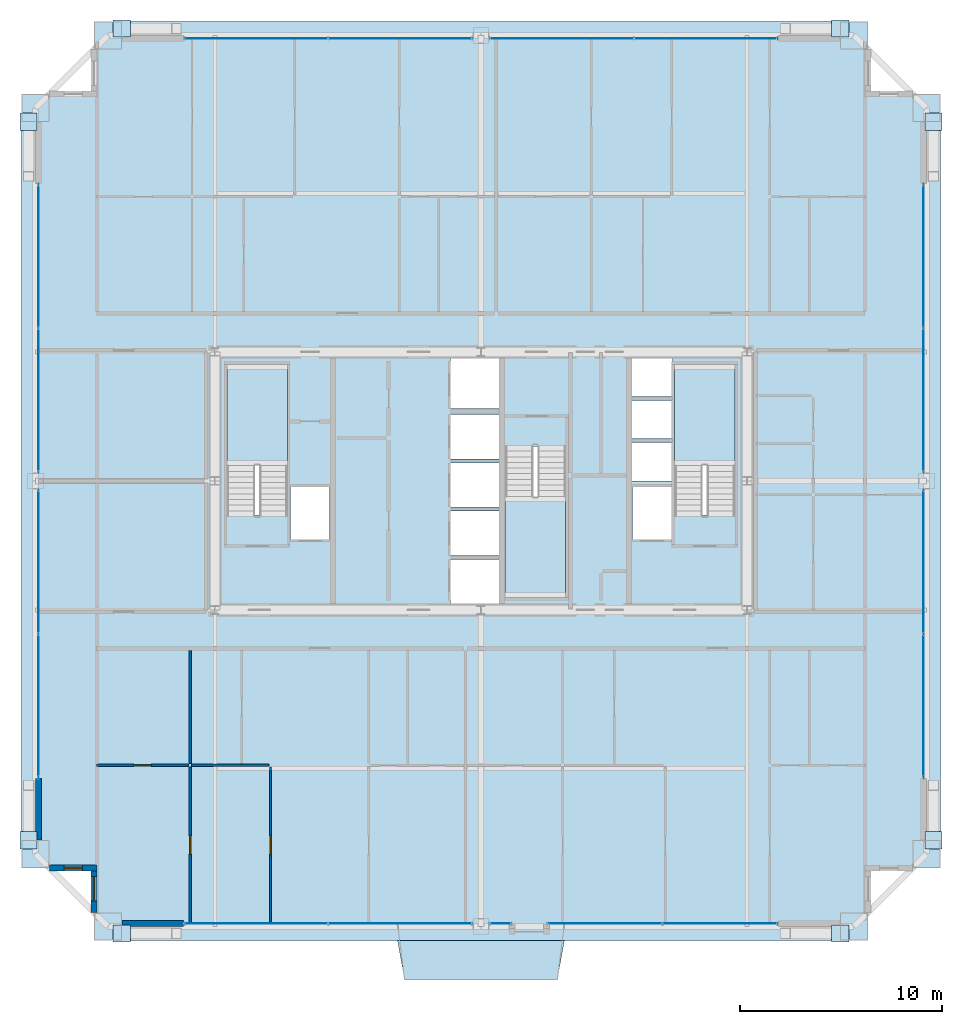
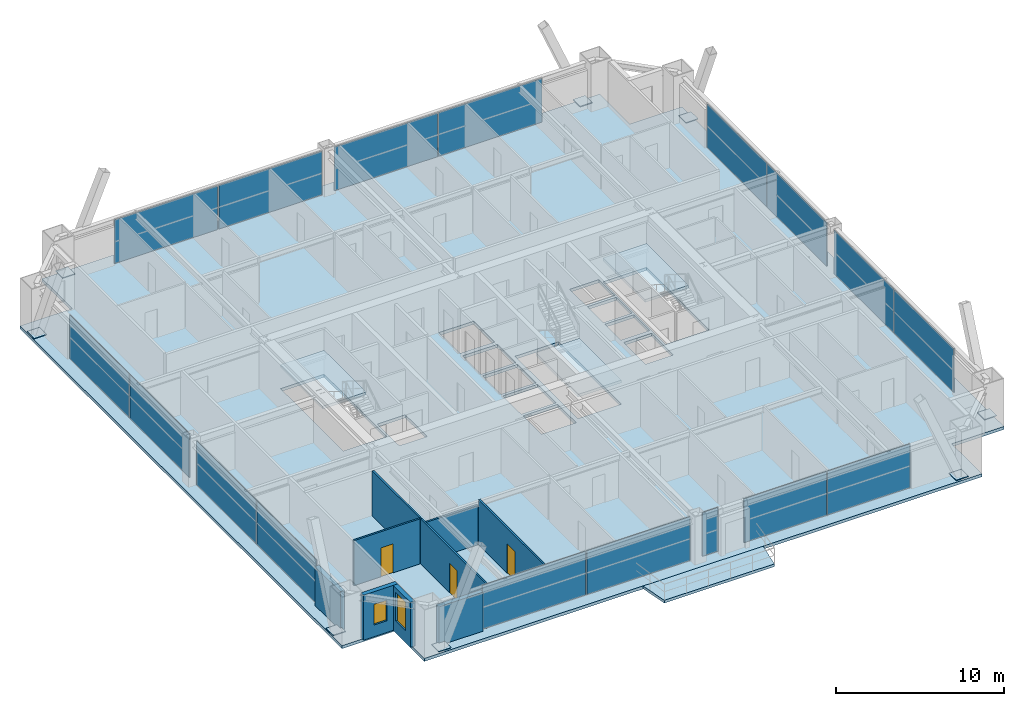
# One storey, part 39 of 45: 25 plates, 9 walls, 5 slabs, 3 doors, 2 windows, 5 openings, 12 elements without a shape of their own.
"""IFC4 building model written with IfcOpenShell, lengths in metres."""

import ifcopenshell
import ifcopenshell.guid

model = None  # the IFC model being written
_history = None  # IfcOwnerHistory: only IFC2X3 demands one
_inside = {}  # id of a spatial element -> (the spatial element, [elements in it])
_under = {}  # id of a project, library or spatial element -> (it, [spatial elements below it])
_declared = {}  # id of a project -> (the project, [libraries it declares])
_typed = {}  # id of a type object -> (the type object, [elements of that type])
_made_of = {}  # id of a material, layer set ... -> (it, [elements and type objects made of it])


def new_model(schema):
    """Start an empty IFC model of exactly this schema.

    Asked for "IFC4X3", IfcOpenShell would pick the latest addendum, in which some entities
    have other attributes; the version numbers below select the first issue.
    IFC2X3 requires an IfcOwnerHistory on every rooted entity: one is made here for all.
    """
    global model, _history
    if schema == "IFC4X3":
        model = ifcopenshell.file(schema_version=(4, 3, 0, 0))
    else:
        model = ifcopenshell.file(schema=schema)
    _inside.clear()
    _under.clear()
    _declared.clear()
    _typed.clear()
    _made_of.clear()
    _history = None
    if model.schema == "IFC2X3":
        org = make("IfcOrganization", Name="unknown")
        user = make(
            "IfcPersonAndOrganization",
            ThePerson=make("IfcPerson", FamilyName="unknown"),
            TheOrganization=org,
        )
        app = make(
            "IfcApplication",
            ApplicationDeveloper=org,
            Version="unknown",
            ApplicationFullName="unknown",
            ApplicationIdentifier="unknown",
        )
        _history = make(
            "IfcOwnerHistory",
            OwningUser=user,
            OwningApplication=app,
            ChangeAction="ADDED",
            CreationDate=0,
        )
    return model


def make(cls, **values):
    """One entity of the class cls with the attributes given. An attribute that is None is left unset."""
    return model.create_entity(
        cls, **{name: value for name, value in values.items() if value is not None}
    )


def rooted(cls, **values):
    """An entity with a GlobalId (a new one), such as an element, a storey or a relation."""
    return make(cls, GlobalId=ifcopenshell.guid.new(), OwnerHistory=_history, **values)


def si_unit(unit_type, name, prefix=None):
    """IfcSIUnit, for example si_unit("LENGTHUNIT", "METRE", prefix="MILLI")."""
    return make("IfcSIUnit", UnitType=unit_type, Prefix=prefix, Name=name)


def assignment(units):
    """IfcUnitAssignment: the units of a project."""
    return None if units is None else make("IfcUnitAssignment", Units=units)


def point(xyz):
    """IfcCartesianPoint."""
    return None if xyz is None else make("IfcCartesianPoint", Coordinates=xyz)


def direction(xyz):
    """IfcDirection."""
    return None if xyz is None else make("IfcDirection", DirectionRatios=xyz)


def frame(location, z_axis=None, x_axis=None):
    """IfcAxis2Placement3D, a coordinate frame: its origin and axes. An axis left out is left unset."""
    return make(
        "IfcAxis2Placement3D",
        Location=point(location),
        Axis=direction(z_axis),
        RefDirection=direction(x_axis),
    )


def frame_2d(location, x_axis=None):
    """IfcAxis2Placement2D, a coordinate frame in the plane: its origin and x axis."""
    return make(
        "IfcAxis2Placement2D", Location=point(location), RefDirection=direction(x_axis)
    )


def origin():
    """The frame at (0, 0, 0) with its axes left unset."""
    return frame((0.0, 0.0, 0.0))


def origin_2d():
    """The frame at (0, 0) in the plane with its x axis left unset."""
    return frame_2d((0.0, 0.0))


def place(relative_to, where):
    """IfcLocalPlacement: puts the frame where relative to a parent placement (None: the world)."""
    return make(
        "IfcLocalPlacement", PlacementRelTo=relative_to, RelativePlacement=where
    )


def context(
    kind, dimensions, precision=None, world=None, true_north=None, identifier=None
):
    """IfcGeometricRepresentationContext, for example the 3D "Model" context."""
    return make(
        "IfcGeometricRepresentationContext",
        ContextIdentifier=identifier,
        ContextType=kind,
        CoordinateSpaceDimension=dimensions,
        Precision=precision,
        WorldCoordinateSystem=world,
        TrueNorth=true_north,
    )


def subcontext(parent, identifier, kind, view, scale=None):
    """IfcGeometricRepresentationSubContext, for example "Body" below "Model"."""
    return make(
        "IfcGeometricRepresentationSubContext",
        ContextIdentifier=identifier,
        ContextType=kind,
        ParentContext=parent,
        TargetScale=scale,
        TargetView=view,
    )


def project(units=None, contexts=None):
    """IfcProject with its units and contexts."""
    return rooted(
        "IfcProject",
        Name="project",
        RepresentationContexts=contexts,
        UnitsInContext=assignment(units),
    )


def spatial(cls, under=None, at=None, **own):
    """A site, building, storey or space (cls), placed at a placement, below another one or the project."""
    s = rooted(cls, ObjectPlacement=at, **own)
    if under is not None:
        _under.setdefault(under.id(), (under, []))[1].append(s)
    return s


def polyline(points):
    """IfcPolyline through the points."""
    return make("IfcPolyline", Points=[point(p) for p in points])


def profile(cls, at=None, kind="AREA", **sizes):
    """A parametric profile (cls). Its sizes go by their IFC names, for example OverallWidth=200.0."""
    return make(cls, ProfileType=kind, Position=at, **sizes)


def rectangle(**sizes):
    """IfcRectangleProfileDef."""
    return profile("IfcRectangleProfileDef", **sizes)


def outline(outer, holes=None, kind="AREA"):
    """IfcArbitraryClosedProfileDef: a profile drawn as a closed curve; with holes, ...WithVoids."""
    if holes is None:
        return make("IfcArbitraryClosedProfileDef", ProfileType=kind, OuterCurve=outer)
    return make(
        "IfcArbitraryProfileDefWithVoids",
        ProfileType=kind,
        OuterCurve=outer,
        InnerCurves=holes,
    )


def extrude(swept, where, along, depth):
    """IfcExtrudedAreaSolid: the profile swept, set in the frame where, extruded along a direction by depth."""
    return make(
        "IfcExtrudedAreaSolid",
        SweptArea=swept,
        Position=where,
        ExtrudedDirection=direction(along),
        Depth=depth,
    )


def shape(context_of_items, identifier, shape_type, items):
    """IfcShapeRepresentation: the items that make up one representation, for example the "Body"."""
    return make(
        "IfcShapeRepresentation",
        ContextOfItems=context_of_items,
        RepresentationIdentifier=identifier,
        RepresentationType=shape_type,
        Items=items,
    )


def source(mapping_origin, context_of_items, identifier, shape_type, items):
    """IfcRepresentationMap: a shape defined once, which mapped items show again and again."""
    return make(
        "IfcRepresentationMap",
        MappingOrigin=mapping_origin,
        MappedRepresentation=shape(context_of_items, identifier, shape_type, items),
    )


def transform(
    local_origin,
    x_axis=None,
    y_axis=None,
    z_axis=None,
    scale=None,
    scale2=None,
    scale3=None,
    uniform=True,
):
    """IfcCartesianTransformationOperator3D, or its non-uniform kind. x_axis, y_axis, z_axis: its Axis1, 2, 3."""
    if uniform:
        return make(
            "IfcCartesianTransformationOperator3D",
            Axis1=direction(x_axis),
            Axis2=direction(y_axis),
            LocalOrigin=point(local_origin),
            Scale=scale,
            Axis3=direction(z_axis),
        )
    return make(
        "IfcCartesianTransformationOperator3DnonUniform",
        Axis1=direction(x_axis),
        Axis2=direction(y_axis),
        LocalOrigin=point(local_origin),
        Scale=scale,
        Axis3=direction(z_axis),
        Scale2=scale2,
        Scale3=scale3,
    )


def mapped(mapping_source, mapping_target):
    """IfcMappedItem: shows the shape of a source again, moved by a transform."""
    return make(
        "IfcMappedItem", MappingSource=mapping_source, MappingTarget=mapping_target
    )


def material(Name=None, Category=None):
    """IfcMaterial."""
    return make("IfcMaterial", Name=Name, Category=Category)


def layer(
    of_material, thickness, ventilated=None, Name=None, Category=None, Priority=None
):
    """IfcMaterialLayer: one layer of a wall or slab, of a material (None: an air gap)."""
    return make(
        "IfcMaterialLayer",
        Material=of_material,
        LayerThickness=thickness,
        IsVentilated=ventilated,
        Name=Name,
        Category=Category,
        Priority=Priority,
    )


def layer_set(layers, Name=None):
    """IfcMaterialLayerSet."""
    return make("IfcMaterialLayerSet", MaterialLayers=layers, LayerSetName=Name)


def made_of(thing, what):
    """Note that an element or type object is made of a material, layer set ...; save() writes the relation."""
    if what is not None:
        _made_of.setdefault(what.id(), (what, []))[1].append(thing)
    return thing


def type_object(cls, material=None, **own):
    """A type object (cls), such as IfcWallType, which elements share."""
    return made_of(rooted(cls, **own), material)


def element(
    cls,
    number,
    at=None,
    inside=None,
    cuts=None,
    type_object=None,
    material=None,
    context=None,
    identifier="Body",
    shape_type=None,
    held_by="IfcProductDefinitionShape",
    body=None,
    shapes=None,
    **own,
):
    """One element of the class cls, such as IfcWall. Its Tag is "e" and its number.

    at: its placement. inside: the storey or other place that contains it. cuts: it is an
    opening in that element (IfcRelVoidsElement). A single representation is given by context,
    identifier, shape_type and body (its items); several are given by shapes. held_by: the class
    of the entity that holds the representations. save() writes the other relations.
    """
    e = rooted(cls, Tag="e%d" % number, ObjectPlacement=at, **own)
    if body is not None:
        shapes = [shape(context, identifier, shape_type, body)]
    if shapes is not None:
        e.Representation = make(held_by, Representations=shapes)
    if inside is not None:
        _inside.setdefault(inside.id(), (inside, []))[1].append(e)
    if cuts is not None:
        rooted(
            "IfcRelVoidsElement", RelatingBuildingElement=cuts, RelatedOpeningElement=e
        )
    if type_object is not None:
        _typed.setdefault(type_object.id(), (type_object, []))[1].append(e)
    return made_of(e, material)


def fill(opening, filler):
    """IfcRelFillsElement: the door or window that sits in an opening."""
    return rooted(
        "IfcRelFillsElement",
        RelatingOpeningElement=opening,
        RelatedBuildingElement=filler,
    )


def aggregate(whole, parts):
    """IfcRelAggregates: a whole, such as a stair, and the parts it consists of."""
    return rooted("IfcRelAggregates", RelatingObject=whole, RelatedObjects=parts)


def save(model, path):
    """Write the relations noted so far, then the file.

    IfcRelAggregates (storeys below a building ...), IfcRelContainedInSpatialStructure (elements
    in a storey), IfcRelDefinesByType, IfcRelAssociatesMaterial and IfcRelDeclares: one each for
    every whole, place, type object, material and project.
    """
    for whole, parts in _under.values():
        aggregate(whole, parts)
    for where, things in _inside.values():
        rooted(
            "IfcRelContainedInSpatialStructure",
            RelatedElements=things,
            RelatingStructure=where,
        )
    for kind, things in _typed.values():
        rooted("IfcRelDefinesByType", RelatedObjects=things, RelatingType=kind)
    for what, things in _made_of.values():
        rooted("IfcRelAssociatesMaterial", RelatedObjects=things, RelatingMaterial=what)
    for by, libraries in _declared.values():
        rooted("IfcRelDeclares", RelatingContext=by, RelatedDefinitions=libraries)
    model.write(path)


model = new_model("IFC4")

# Units and contexts
model_context = context("Model", 3, precision=1e-05, world=origin(), true_north=direction((0.0, 1.0)))
body_context = subcontext(model_context, "Body", "Model", "MODEL_VIEW")
ifc_project = project(units=[si_unit("LENGTHUNIT", "METRE"), si_unit("AREAUNIT", "SQUARE_METRE"), si_unit("VOLUMEUNIT", "CUBIC_METRE"), si_unit("PLANEANGLEUNIT", "RADIAN"), si_unit("MASSUNIT", "GRAM", prefix="KILO"), si_unit("THERMODYNAMICTEMPERATUREUNIT", "KELVIN"), si_unit("POWERUNIT", "WATT")], contexts=[model_context])

# Site, building, storey
site_placement = place(None, origin())
site = spatial("IfcSite", under=ifc_project, at=site_placement, CompositionType="ELEMENT")
building_placement = place(site_placement, origin())
building = spatial("IfcBuilding", under=site, at=building_placement, Name="Yuzanri Waterfront Tower", CompositionType="ELEMENT")
storey_placement = place(building_placement, frame((0.0, 0.0, 198.5)))
storey = spatial("IfcBuildingStorey", under=building, at=storey_placement, Name="L52", CompositionType="ELEMENT", Elevation=198.5)

# Slab
ifc_material_1 = material(Name="Concrete C40", Category="concrete")
ifc_layer_1 = layer(ifc_material_1, 0.199951171875)
ifc_layer_set_1 = layer_set([ifc_layer_1], Name="Concrete C40")
slab_type_1 = type_object("IfcSlabType", Name="Concrete C40 Cantilevered Engawa Wave Terrace Slab 200", PredefinedType="FLOOR", material=ifc_layer_set_1)
slab_1_placement = place(storey_placement, frame((0.0, 0.0, -0.199951171875)))
element("IfcSlab", 1, at=slab_1_placement, inside=storey, type_object=slab_type_1, Name="L52 S Cantilevered Engawa Terrace Slab", PredefinedType="FLOOR", context=body_context, shape_type="SweptSolid", body=[
    extrude(outline(polyline([(32.860595703125, 3.0), (41.139404296875, 3.0), (40.78955078125, 1.071044921875), (33.21044921875, 1.071044921875), (32.860595703125, 3.0)])), origin(), (0.0, 0.0, 1.0), 0.199951171875),
])

# Stair, slab
ifc_material_2 = material(Name="Concrete C40", Category="concrete")
stair_type = type_object("IfcStairType", Name="Concrete C40 Core Dogleg Exit Stair", PredefinedType="HALF_TURN_STAIR", material=ifc_material_2)
stair_1_placement = place(storey_placement, origin())
stair_1 = element("IfcStair", 2, at=stair_1_placement, inside=storey, type_object=stair_type, Name="L52 Smoke-Proof Core Stair ST-01", PredefinedType="HALF_TURN_STAIR")
ifc_material_3 = material(Name="Concrete C40", Category="concrete")
ifc_layer_2 = layer(ifc_material_3, 0.179931640625)
ifc_layer_set_2 = layer_set([ifc_layer_2], Name="Concrete C40")
slab_type_2 = type_object("IfcSlabType", Name="Concrete C40 Stair Half-Landing Slab 180", PredefinedType="LANDING", material=ifc_layer_set_2)
slab_2_placement = place(storey_placement, frame((0.0, 0.0, 1.550048828125)))
slab_2 = element("IfcSlab", 3, at=slab_2_placement, type_object=slab_type_2, Name="ST-01 landing 1", PredefinedType="LANDING", context=body_context, shape_type="SweptSolid", body=[
    extrude(outline(polyline([(27.39990234375, 26.56005859375), (27.39990234375, 31.580078125), (24.39990234375, 31.580078125), (24.39990234375, 26.56005859375), (27.39990234375, 26.56005859375)])), origin(), (0.0, 0.0, 1.0), 0.199951171875),
])
aggregate(stair_1, [slab_2])

stair_2_placement = place(storey_placement, origin())
stair_2 = element("IfcStair", 4, at=stair_2_placement, inside=storey, type_object=stair_type, Name="L52 Smoke-Proof Core Stair ST-02", PredefinedType="HALF_TURN_STAIR")
slab_3_placement = place(storey_placement, frame((0.0, 0.0, 1.550048828125)))
slab_3 = element("IfcSlab", 5, at=slab_3_placement, type_object=slab_type_2, Name="ST-02 landing 1", PredefinedType="LANDING", context=body_context, shape_type="SweptSolid", body=[
    extrude(outline(polyline([(49.60009765625, 26.56005859375), (49.60009765625, 31.580078125), (46.60009765625, 31.580078125), (46.60009765625, 26.56005859375), (49.60009765625, 26.56005859375)])), origin(), (0.0, 0.0, 1.0), 0.199951171875),
])
aggregate(stair_2, [slab_3])

stair_3_placement = place(storey_placement, origin())
stair_3 = element("IfcStair", 6, at=stair_3_placement, inside=storey, type_object=stair_type, Name="L52 Smoke-Proof Core Stair ST-03", PredefinedType="HALF_TURN_STAIR")
slab_4_placement = place(storey_placement, frame((0.0, 0.0, 1.550048828125)))
slab_4 = element("IfcSlab", 7, at=slab_4_placement, type_object=slab_type_2, Name="ST-03 landing 1", PredefinedType="LANDING", context=body_context, shape_type="SweptSolid", body=[
    extrude(outline(polyline([(38.199951171875, 25.0400390625), (38.199951171875, 20.02001953125), (41.199951171875, 20.02001953125), (41.199951171875, 25.0400390625), (38.199951171875, 25.0400390625)])), origin(), (0.0, 0.0, 1.0), 0.199951171875),
])
aggregate(stair_3, [slab_4])

# Slab
ifc_material_4 = material(Name="Concrete C40", Category="concrete")
ifc_layer_3 = layer(ifc_material_4, 0.219970703125)
ifc_layer_set_3 = layer_set([ifc_layer_3], Name="Concrete C40")
slab_type_3 = type_object("IfcSlabType", Name="Concrete C40 Tower Typical Structural Floor Slab 220", PredefinedType="FLOOR", material=ifc_layer_set_3)
slab_5_placement = place(storey_placement, frame((0.0, 0.0, -0.219970703125)))
element("IfcSlab", 8, at=slab_5_placement, inside=storey, type_object=slab_type_3, Name="L52 Main Structural Floor Slab", PredefinedType="FLOOR", context=body_context, shape_type="SweptSolid", body=[
    extrude(outline(polyline([(17.800048828125, 3.0), (56.199951171875, 3.0), (56.199951171875, 6.60009765625), (59.800048828125, 6.60009765625), (59.800048828125, 45.0), (56.199951171875, 45.0), (56.199951171875, 48.60009765625), (17.800048828125, 48.60009765625), (17.800048828125, 45.0), (14.199951171875, 45.0), (14.199951171875, 6.60009765625), (17.800048828125, 6.60009765625), (17.800048828125, 3.0)]), holes=[polyline([(27.39990234375, 24.10009765625), (27.39990234375, 31.580078125), (24.39990234375, 31.580078125), (24.39990234375, 24.10009765625), (27.39990234375, 24.10009765625)]), polyline([(49.60009765625, 24.10009765625), (49.60009765625, 31.580078125), (46.60009765625, 31.580078125), (46.60009765625, 24.10009765625), (49.60009765625, 24.10009765625)]), polyline([(38.199951171875, 27.5), (38.199951171875, 20.02001953125), (41.199951171875, 20.02001953125), (41.199951171875, 27.5), (38.199951171875, 27.5)]), polyline([(27.56005859375, 22.89990234375), (29.47998046875, 22.89990234375), (29.47998046875, 25.5), (27.56005859375, 25.5), (27.56005859375, 22.89990234375)]), polyline([(44.52001953125, 22.89990234375), (46.43994140625, 22.89990234375), (46.43994140625, 25.5), (44.52001953125, 25.5), (44.52001953125, 22.89990234375)]), polyline([(35.5, 19.699951171875), (37.89990234375, 19.699951171875), (37.89990234375, 21.89990234375), (35.5, 21.89990234375), (35.5, 19.699951171875)]), polyline([(35.5, 22.10009765625), (37.89990234375, 22.10009765625), (37.89990234375, 24.300048828125), (35.5, 24.300048828125), (35.5, 22.10009765625)]), polyline([(35.5, 24.5), (37.89990234375, 24.5), (37.89990234375, 26.699951171875), (35.5, 26.699951171875), (35.5, 24.5)]), polyline([(35.5, 26.89990234375), (37.89990234375, 26.89990234375), (37.89990234375, 29.10009765625), (35.5, 29.10009765625), (35.5, 26.89990234375)]), polyline([(35.5, 29.39990234375), (37.89990234375, 29.39990234375), (37.89990234375, 31.89990234375), (35.5, 31.89990234375), (35.5, 29.39990234375)]), polyline([(44.5, 25.800048828125), (46.5, 25.800048828125), (46.5, 27.699951171875), (44.5, 27.699951171875), (44.5, 25.800048828125)]), polyline([(44.5, 27.89990234375), (46.5, 27.89990234375), (46.5, 29.800048828125), (44.5, 29.800048828125), (44.5, 27.89990234375)]), polyline([(44.5, 30.0), (46.5, 30.0), (46.5, 31.89990234375), (44.5, 31.89990234375), (44.5, 30.0)])]), origin(), (0.0, 0.0, 1.0), 0.219970703125),
])

# Plates
ifc_material_5 = material(Name="Steel Q420GJC", Category="steel")
ifc_layer_4 = layer(ifc_material_5, 0.0400390625)
ifc_layer_set_4 = layer_set([ifc_layer_4], Name="Steel Q420GJC")
plate_type_1 = type_object("IfcPlateType", Name="Steel Q420GJC Mega-Brace Gusset and End-Cap Plate 40", PredefinedType="SHEET", material=ifc_layer_set_4)
shared_shape_1 = source(origin(), body_context, "Body", "SweptSolid", [
    extrude(rectangle(XDim=0.85009765625, YDim=0.85009765625, at=origin_2d()), origin(), (0.0, 0.0, 1.0), 0.0400390625),
])
for number, where, z_axis, x_axis, name in (
    (9, (19.179931640625, 3.360107421875, 0.159912109375), (0.0, 0.0, 1.0), (1.0, 0.0, 0.0), "L52 Mega-Brace Foot Cap Plate S-L"),
    (10, (54.820068359375, 3.360107421875, 0.159912109375), (0.0, 0.0, 1.0), (1.0, 0.0, 0.0), "L52 Mega-Brace Foot Cap Plate S-R"),
    (11, (19.179931640625, 48.239990234375, 0.159912109375), (0.0, 0.0, 1.0), (1.0, 0.0, 0.0), "L52 Mega-Brace Foot Cap Plate N-L"),
    (12, (54.820068359375, 48.239990234375, 0.159912109375), (0.0, 0.0, 1.0), (1.0, 0.0, 0.0), "L52 Mega-Brace Foot Cap Plate N-R"),
    (13, (14.56005859375, 7.97998046875, 0.159912109375), (0.0, 0.0, 1.0), (1.0, 0.0, 0.0), "L52 Mega-Brace Foot Cap Plate W-L"),
    (14, (14.56005859375, 43.6201171875, 0.159912109375), (0.0, 0.0, 1.0), (1.0, 0.0, 0.0), "L52 Mega-Brace Foot Cap Plate W-R"),
    (15, (59.43994140625, 7.97998046875, 0.159912109375), (0.0, 0.0, 1.0), (1.0, 0.0, 0.0), "L52 Mega-Brace Foot Cap Plate E-L"),
    (16, (59.43994140625, 43.6201171875, 0.159912109375), (0.0, 0.0, 1.0), (1.0, 0.0, 0.0), "L52 Mega-Brace Foot Cap Plate E-R"),
):
    element("IfcPlate", number, at=place(storey_placement, frame(where, z_axis=z_axis, x_axis=x_axis)), inside=storey, type_object=plate_type_1, Name=name, PredefinedType="SHEET", context=body_context, shape_type="MappedRepresentation", body=[
        mapped(shared_shape_1, transform((0.0, 0.0, 0.0), scale=1.0)),
    ])

# Curtain wall, plates
ifc_material_6 = material(Name="Anodized Architectural Bronze", Category="metal")
ifc_layer_5 = layer(ifc_material_6, 0.159912109375)
ifc_layer_set_5 = layer_set([ifc_layer_5], Name="Anodized Architectural Bronze")
curtain_wall_type = type_object("IfcCurtainWallType", Name="Anodized Bronze Mid-Rise Residential Acoustic Unitized Curtain Wall 7200", PredefinedType="NOTDEFINED", material=ifc_layer_set_5)
curtain_wall_1_placement = place(storey_placement, origin())
curtain_wall_1 = element("IfcCurtainWall", 17, at=curtain_wall_1_placement, inside=storey, type_object=curtain_wall_type, Name="L52 Curtain Wall CW-L52-SL", PredefinedType="NOTDEFINED")
ifc_material_7 = material(Name="Triple Low-E Laminated Insulated Glass", Category="glass")
ifc_layer_6 = layer(ifc_material_7, 0.0439453125)
ifc_layer_set_6 = layer_set([ifc_layer_6], Name="Triple Low-E Laminated Insulated Glass")
plate_type_2 = type_object("IfcPlateType", Name="Triple Glazed Acoustic Vision Glass Panel 44", PredefinedType="CURTAIN_PANEL", material=ifc_layer_set_6)
shared_shape_2 = source(origin(), body_context, "Body", "SweptSolid", [
    extrude(rectangle(XDim=7.094970703125, YDim=0.0439453125, at=origin_2d()), origin(), (0.0, 0.0, 1.0), 3.179931640625),
])
plate_1_placement = place(storey_placement, frame((25.83740234375, 3.85009765625, 0.0498046875), z_axis=(0.0, 0.0, 1.0), x_axis=(1.0, 0.0, 0.0)))
plate_1 = element("IfcPlate", 18, at=plate_1_placement, type_object=plate_type_2, Name="CW-L52-SL Vision Glass Panel 01", PredefinedType="CURTAIN_PANEL", context=body_context, shape_type="MappedRepresentation", body=[
    mapped(shared_shape_2, transform((0.0, 0.0, 0.0), scale=1.0)),
])
plate_2_placement = place(storey_placement, frame((33.012451171875, 3.85009765625, 0.0498046875), z_axis=(0.0, 0.0, 1.0), x_axis=(1.0, 0.0, 0.0)))
plate_2 = element("IfcPlate", 19, at=plate_2_placement, type_object=plate_type_2, Name="CW-L52-SL Vision Glass Panel 02", PredefinedType="CURTAIN_PANEL", context=body_context, shape_type="MappedRepresentation", body=[
    mapped(shared_shape_2, transform((0.0, 0.0, 0.0), scale=1.0)),
])
aggregate(curtain_wall_1, [plate_1, plate_2])

curtain_wall_2_placement = place(storey_placement, origin())
curtain_wall_2 = element("IfcCurtainWall", 20, at=curtain_wall_2_placement, inside=storey, type_object=curtain_wall_type, Name="L52 Curtain Wall CW-L52-NL", PredefinedType="NOTDEFINED")
plate_3_placement = place(storey_placement, frame((25.83740234375, 47.75, 0.0498046875), z_axis=(0.0, 0.0, 1.0), x_axis=(1.0, 0.0, 0.0)))
plate_3 = element("IfcPlate", 21, at=plate_3_placement, type_object=plate_type_2, Name="CW-L52-NL Vision Glass Panel 01", PredefinedType="CURTAIN_PANEL", context=body_context, shape_type="MappedRepresentation", body=[
    mapped(shared_shape_2, transform((0.0, 0.0, 0.0), scale=1.0)),
])
plate_4_placement = place(storey_placement, frame((33.012451171875, 47.75, 0.0498046875), z_axis=(0.0, 0.0, 1.0), x_axis=(1.0, 0.0, 0.0)))
plate_4 = element("IfcPlate", 22, at=plate_4_placement, type_object=plate_type_2, Name="CW-L52-NL Vision Glass Panel 02", PredefinedType="CURTAIN_PANEL", context=body_context, shape_type="MappedRepresentation", body=[
    mapped(shared_shape_2, transform((0.0, 0.0, 0.0), scale=1.0)),
])
aggregate(curtain_wall_2, [plate_3, plate_4])

curtain_wall_3_placement = place(storey_placement, origin())
curtain_wall_3 = element("IfcCurtainWall", 23, at=curtain_wall_3_placement, inside=storey, type_object=curtain_wall_type, Name="L52 Curtain Wall CW-L52-NR", PredefinedType="NOTDEFINED")
plate_5_placement = place(storey_placement, frame((40.987548828125, 47.75, 0.0498046875), z_axis=(0.0, 0.0, 1.0), x_axis=(1.0, 0.0, 0.0)))
plate_5 = element("IfcPlate", 24, at=plate_5_placement, type_object=plate_type_2, Name="CW-L52-NR Vision Glass Panel 01", PredefinedType="CURTAIN_PANEL", context=body_context, shape_type="MappedRepresentation", body=[
    mapped(shared_shape_2, transform((0.0, 0.0, 0.0), scale=1.0)),
])
plate_6_placement = place(storey_placement, frame((48.16259765625, 47.75, 0.0498046875), z_axis=(0.0, 0.0, 1.0), x_axis=(1.0, 0.0, 0.0)))
plate_6 = element("IfcPlate", 25, at=plate_6_placement, type_object=plate_type_2, Name="CW-L52-NR Vision Glass Panel 02", PredefinedType="CURTAIN_PANEL", context=body_context, shape_type="MappedRepresentation", body=[
    mapped(shared_shape_2, transform((0.0, 0.0, 0.0), scale=1.0)),
])
aggregate(curtain_wall_3, [plate_5, plate_6])

curtain_wall_4_placement = place(storey_placement, origin())
curtain_wall_4 = element("IfcCurtainWall", 26, at=curtain_wall_4_placement, inside=storey, type_object=curtain_wall_type, Name="L52 Curtain Wall CW-L52-WL", PredefinedType="NOTDEFINED")
plate_7_placement = place(storey_placement, frame((15.050048828125, 14.637451171875, 0.0498046875), z_axis=(0.0, 0.0, 1.0), x_axis=(0.0, 1.0, 0.0)))
plate_7 = element("IfcPlate", 27, at=plate_7_placement, type_object=plate_type_2, Name="CW-L52-WL Vision Glass Panel 01", PredefinedType="CURTAIN_PANEL", context=body_context, shape_type="MappedRepresentation", body=[
    mapped(shared_shape_2, transform((0.0, 0.0, 0.0), scale=1.0)),
])
plate_8_placement = place(storey_placement, frame((15.050048828125, 21.8125, 0.0498046875), z_axis=(0.0, 0.0, 1.0), x_axis=(0.0, 1.0, 0.0)))
plate_8 = element("IfcPlate", 28, at=plate_8_placement, type_object=plate_type_2, Name="CW-L52-WL Vision Glass Panel 02", PredefinedType="CURTAIN_PANEL", context=body_context, shape_type="MappedRepresentation", body=[
    mapped(shared_shape_2, transform((0.0, 0.0, 0.0), scale=1.0)),
])
aggregate(curtain_wall_4, [plate_7, plate_8])

curtain_wall_5_placement = place(storey_placement, origin())
curtain_wall_5 = element("IfcCurtainWall", 29, at=curtain_wall_5_placement, inside=storey, type_object=curtain_wall_type, Name="L52 Curtain Wall CW-L52-WR", PredefinedType="NOTDEFINED")
plate_9_placement = place(storey_placement, frame((15.050048828125, 29.78759765625, 0.0498046875), z_axis=(0.0, 0.0, 1.0), x_axis=(0.0, 1.0, 0.0)))
plate_9 = element("IfcPlate", 30, at=plate_9_placement, type_object=plate_type_2, Name="CW-L52-WR Vision Glass Panel 01", PredefinedType="CURTAIN_PANEL", context=body_context, shape_type="MappedRepresentation", body=[
    mapped(shared_shape_2, transform((0.0, 0.0, 0.0), scale=1.0)),
])
plate_10_placement = place(storey_placement, frame((15.050048828125, 36.96240234375, 0.0498046875), z_axis=(0.0, 0.0, 1.0), x_axis=(0.0, 1.0, 0.0)))
plate_10 = element("IfcPlate", 31, at=plate_10_placement, type_object=plate_type_2, Name="CW-L52-WR Vision Glass Panel 02", PredefinedType="CURTAIN_PANEL", context=body_context, shape_type="MappedRepresentation", body=[
    mapped(shared_shape_2, transform((0.0, 0.0, 0.0), scale=1.0)),
])
aggregate(curtain_wall_5, [plate_9, plate_10])

curtain_wall_6_placement = place(storey_placement, origin())
curtain_wall_6 = element("IfcCurtainWall", 32, at=curtain_wall_6_placement, inside=storey, type_object=curtain_wall_type, Name="L52 Curtain Wall CW-L52-EL", PredefinedType="NOTDEFINED")
plate_11_placement = place(storey_placement, frame((58.949951171875, 14.637451171875, 0.0498046875), z_axis=(0.0, 0.0, 1.0), x_axis=(0.0, 1.0, 0.0)))
plate_11 = element("IfcPlate", 33, at=plate_11_placement, type_object=plate_type_2, Name="CW-L52-EL Vision Glass Panel 01", PredefinedType="CURTAIN_PANEL", context=body_context, shape_type="MappedRepresentation", body=[
    mapped(shared_shape_2, transform((0.0, 0.0, 0.0), scale=1.0)),
])
plate_12_placement = place(storey_placement, frame((58.949951171875, 21.8125, 0.0498046875), z_axis=(0.0, 0.0, 1.0), x_axis=(0.0, 1.0, 0.0)))
plate_12 = element("IfcPlate", 34, at=plate_12_placement, type_object=plate_type_2, Name="CW-L52-EL Vision Glass Panel 02", PredefinedType="CURTAIN_PANEL", context=body_context, shape_type="MappedRepresentation", body=[
    mapped(shared_shape_2, transform((0.0, 0.0, 0.0), scale=1.0)),
])
aggregate(curtain_wall_6, [plate_11, plate_12])

curtain_wall_7_placement = place(storey_placement, origin())
curtain_wall_7 = element("IfcCurtainWall", 35, at=curtain_wall_7_placement, inside=storey, type_object=curtain_wall_type, Name="L52 Curtain Wall CW-L52-ER", PredefinedType="NOTDEFINED")
plate_13_placement = place(storey_placement, frame((58.949951171875, 29.78759765625, 0.0498046875), z_axis=(0.0, 0.0, 1.0), x_axis=(0.0, 1.0, 0.0)))
plate_13 = element("IfcPlate", 36, at=plate_13_placement, type_object=plate_type_2, Name="CW-L52-ER Vision Glass Panel 01", PredefinedType="CURTAIN_PANEL", context=body_context, shape_type="MappedRepresentation", body=[
    mapped(shared_shape_2, transform((0.0, 0.0, 0.0), scale=1.0)),
])
plate_14_placement = place(storey_placement, frame((58.949951171875, 36.96240234375, 0.0498046875), z_axis=(0.0, 0.0, 1.0), x_axis=(0.0, 1.0, 0.0)))
plate_14 = element("IfcPlate", 37, at=plate_14_placement, type_object=plate_type_2, Name="CW-L52-ER Vision Glass Panel 02", PredefinedType="CURTAIN_PANEL", context=body_context, shape_type="MappedRepresentation", body=[
    mapped(shared_shape_2, transform((0.0, 0.0, 0.0), scale=1.0)),
])
aggregate(curtain_wall_7, [plate_13, plate_14])

# Curtain wall, plate
curtain_wall_8_placement = place(storey_placement, origin())
curtain_wall_8 = element("IfcCurtainWall", 38, at=curtain_wall_8_placement, inside=storey, type_object=curtain_wall_type, Name="L52 Curtain Wall CW-L52-SR1", PredefinedType="NOTDEFINED")
shared_shape_3 = source(origin(), body_context, "Body", "SweptSolid", [
    extrude(rectangle(XDim=1.070068359375, YDim=0.0439453125, at=origin_2d()), origin(), (0.0, 0.0, 1.0), 3.179931640625),
])
plate_15_placement = place(storey_placement, frame((37.97509765625, 3.85009765625, 0.0498046875), z_axis=(0.0, 0.0, 1.0), x_axis=(1.0, 0.0, 0.0)))
plate_15 = element("IfcPlate", 39, at=plate_15_placement, type_object=plate_type_2, Name="CW-L52-SR1 Vision Glass Panel 01", PredefinedType="CURTAIN_PANEL", context=body_context, shape_type="MappedRepresentation", body=[
    mapped(shared_shape_3, transform((0.0, 0.0, 0.0), scale=1.0)),
])
aggregate(curtain_wall_8, [plate_15])

# Curtain wall, plates
curtain_wall_9_placement = place(storey_placement, origin())
curtain_wall_9 = element("IfcCurtainWall", 40, at=curtain_wall_9_placement, inside=storey, type_object=curtain_wall_type, Name="L52 Curtain Wall CW-L52-SR2", PredefinedType="NOTDEFINED")
shared_shape_4 = source(origin(), body_context, "Body", "SweptSolid", [
    extrude(rectangle(XDim=5.669921875, YDim=0.0439453125, at=origin_2d()), origin(), (0.0, 0.0, 1.0), 3.179931640625),
])
plate_16_placement = place(storey_placement, frame((43.125, 3.85009765625, 0.0498046875), z_axis=(0.0, 0.0, 1.0), x_axis=(1.0, 0.0, 0.0)))
plate_16 = element("IfcPlate", 41, at=plate_16_placement, type_object=plate_type_2, Name="CW-L52-SR2 Vision Glass Panel 01", PredefinedType="CURTAIN_PANEL", context=body_context, shape_type="MappedRepresentation", body=[
    mapped(shared_shape_4, transform((0.0, 0.0, 0.0), scale=1.0)),
])
plate_17_placement = place(storey_placement, frame((48.875, 3.85009765625, 0.0498046875), z_axis=(0.0, 0.0, 1.0), x_axis=(1.0, 0.0, 0.0)))
plate_17 = element("IfcPlate", 42, at=plate_17_placement, type_object=plate_type_2, Name="CW-L52-SR2 Vision Glass Panel 02", PredefinedType="CURTAIN_PANEL", context=body_context, shape_type="MappedRepresentation", body=[
    mapped(shared_shape_4, transform((0.0, 0.0, 0.0), scale=1.0)),
])
aggregate(curtain_wall_9, [plate_16, plate_17])

# Wall, opening, door
ifc_material_8 = material(Name="Moisture-Resistant Gypsum Stud Wall", Category="gypsum")
ifc_layer_7 = layer(ifc_material_8, 0.1201171875)
ifc_layer_set_7 = layer_set([ifc_layer_7], Name="Moisture-Resistant Gypsum Stud Wall")
wall_type_1 = type_object("IfcWallType", Name="Bathroom and Kitchen Wet Partition 120", PredefinedType="PARTITIONING", material=ifc_layer_set_7)
wall_1_placement = place(storey_placement, frame((17.93994140625, 11.699951171875, 0.0), z_axis=(0.0, 0.0, 1.0), x_axis=(1.0, 0.0, 0.0)))
wall_1 = element("IfcWall", 43, at=wall_1_placement, inside=storey, type_object=wall_type_1, Name="L52 Partition UW-L52-RS1-SUB-1-S", PredefinedType="PARTITIONING", context=body_context, shape_type="SweptSolid", body=[
    extrude(rectangle(XDim=4.553955078125, YDim=0.1201171875, at=frame_2d((2.27685546875, 0.0))), origin(), (0.0, 0.0, 1.0), 3.280029296875),
])
opening_1_placement = place(wall_1_placement, frame((1.85205078125, 0.0, 0.0)))
opening_1 = element("IfcOpeningElement", 44, at=opening_1_placement, cuts=wall_1, Name="Opening ID-0850", PredefinedType="OPENING", context=body_context, shape_type="SweptSolid", body=[
    extrude(rectangle(XDim=0.85009765625, YDim=2.10009765625, at=frame_2d((0.425048828125, 1.050048828125))), frame((0.0, 0.074951171875, 0.0), z_axis=(0.0, -1.0, 0.0), x_axis=(1.0, 0.0, 0.0)), (0.0, 0.0, 1.0), 0.14990234375),
])
ifc_material_9 = material(Name="Moisture-Resistant Lacquered Timber", Category="wood")
door_type_1 = type_object("IfcDoorType", Name="En-Suite Bathroom and Kitchen Swing Door 850x2100", OperationType="NOTDEFINED", PredefinedType="DOOR", material=ifc_material_9)
shared_shape_5 = source(origin(), body_context, "Body", "SweptSolid", [
    extrude(rectangle(XDim=0.85009765625, YDim=2.10009765625, at=frame_2d((0.425048828125, 1.050048828125))), frame((0.0, 0.02490234375, 0.0), z_axis=(0.0, -1.0, 0.0), x_axis=(1.0, 0.0, 0.0)), (0.0, 0.0, 1.0), 0.050048828125),
])
door_1_placement = place(opening_1_placement, origin())
door_1 = element("IfcDoor", 45, at=door_1_placement, inside=storey, type_object=door_type_1, Name="L52 Suite Interior Room Door", OperationType="SINGLE_SWING_LEFT", OverallHeight=2.10009765625, OverallWidth=0.85009765625, PredefinedType="DOOR", context=body_context, shape_type="MappedRepresentation", body=[
    mapped(shared_shape_5, transform((0.0, 0.0, 0.0), scale=1.0)),
])
fill(opening_1, door_1)

wall_2_placement = place(storey_placement, frame((22.573974609375, 3.85009765625, 0.0), z_axis=(0.0, 0.0, 1.0), x_axis=(0.0, 1.0, 0.0)))
wall_2 = element("IfcWall", 46, at=wall_2_placement, inside=storey, type_object=wall_type_1, Name="L52 Partition UW-L52-RS1-SUB-5-E", PredefinedType="PARTITIONING", context=body_context, shape_type="SweptSolid", body=[
    extrude(rectangle(XDim=7.77001953125, YDim=0.1201171875, at=frame_2d((3.885009765625, 0.0))), origin(), (0.0, 0.0, 1.0), 3.280029296875),
])
opening_2_placement = place(wall_2_placement, frame((3.43505859375, 0.0, 0.0)))
opening_2 = element("IfcOpeningElement", 47, at=opening_2_placement, cuts=wall_2, Name="Opening ID-0900", PredefinedType="OPENING", context=body_context, shape_type="SweptSolid", body=[
    extrude(rectangle(XDim=0.89990234375, YDim=2.14990234375, at=frame_2d((0.449951171875, 1.074951171875))), frame((0.0, 0.074951171875, 0.0), z_axis=(0.0, -1.0, 0.0), x_axis=(1.0, 0.0, 0.0)), (0.0, 0.0, 1.0), 0.14990234375),
])
ifc_material_10 = material(Name="Stained Walnut Veneer Timber", Category="wood")
door_type_2 = type_object("IfcDoorType", Name="Bedroom and Study Interior Swing Door 900x2150", OperationType="NOTDEFINED", PredefinedType="DOOR", material=ifc_material_10)
shared_shape_6 = source(origin(), body_context, "Body", "SweptSolid", [
    extrude(rectangle(XDim=0.89990234375, YDim=2.14990234375, at=frame_2d((0.449951171875, 1.074951171875))), frame((0.0, 0.02490234375, 0.0), z_axis=(0.0, -1.0, 0.0), x_axis=(1.0, 0.0, 0.0)), (0.0, 0.0, 1.0), 0.050048828125),
])
door_2_placement = place(opening_2_placement, origin())
door_2 = element("IfcDoor", 48, at=door_2_placement, inside=storey, type_object=door_type_2, Name="L52 Suite Interior Room Door", OperationType="SINGLE_SWING_LEFT", OverallHeight=2.14990234375, OverallWidth=0.89990234375, PredefinedType="DOOR", context=body_context, shape_type="MappedRepresentation", body=[
    mapped(shared_shape_6, transform((0.0, 0.0, 0.0), scale=1.0)),
])
fill(opening_2, door_2)

wall_3_placement = place(storey_placement, frame((26.56103515625, 3.85009765625, 0.0), z_axis=(0.0, 0.0, 1.0), x_axis=(0.0, 1.0, 0.0)))
wall_3 = element("IfcWall", 49, at=wall_3_placement, inside=storey, type_object=wall_type_1, Name="L52 Partition UW-L52-RS1-SUB-7-E", PredefinedType="PARTITIONING", context=body_context, shape_type="SweptSolid", body=[
    extrude(rectangle(XDim=7.77001953125, YDim=0.1201171875, at=frame_2d((3.885009765625, 0.0))), origin(), (0.0, 0.0, 1.0), 3.280029296875),
])
opening_3_placement = place(wall_3_placement, frame((3.43505859375, 0.0, 0.0)))
opening_3 = element("IfcOpeningElement", 50, at=opening_3_placement, cuts=wall_3, Name="Opening ID-0900", PredefinedType="OPENING", context=body_context, shape_type="SweptSolid", body=[
    extrude(rectangle(XDim=0.89990234375, YDim=2.14990234375, at=frame_2d((0.449951171875, 1.074951171875))), frame((0.0, 0.074951171875, 0.0), z_axis=(0.0, -1.0, 0.0), x_axis=(1.0, 0.0, 0.0)), (0.0, 0.0, 1.0), 0.14990234375),
])
door_3_placement = place(opening_3_placement, origin())
door_3 = element("IfcDoor", 51, at=door_3_placement, inside=storey, type_object=door_type_2, Name="L52 Suite Interior Room Door", OperationType="SINGLE_SWING_LEFT", OverallHeight=2.14990234375, OverallWidth=0.89990234375, PredefinedType="DOOR", context=body_context, shape_type="MappedRepresentation", body=[
    mapped(shared_shape_6, transform((0.0, 0.0, 0.0), scale=1.0)),
])
fill(opening_3, door_3)

# Wall, opening, window
ifc_material_11 = material(Name="Honed Chongqing Dark Basalt Stone", Category="masonry")
ifc_layer_8 = layer(ifc_material_11, 0.300048828125)
ifc_layer_set_8 = layer_set([ifc_layer_8], Name="Honed Chongqing Dark Basalt Stone")
wall_type_2 = type_object("IfcWallType", Name="Bronze Rainscreen Insulated Spandrel Portal Wall 300", PredefinedType="SOLIDWALL", material=ifc_layer_set_8)
wall_4_placement = place(storey_placement, frame((15.60009765625, 6.60009765625, 0.0), z_axis=(0.0, 0.0, 1.0), x_axis=(1.0, 0.0, 0.0)))
wall_4 = element("IfcWall", 52, at=wall_4_placement, inside=storey, type_object=wall_type_2, Name="L52 Notched Corner Masonry Wall SW-X", PredefinedType="SOLIDWALL", context=body_context, shape_type="SweptSolid", body=[
    extrude(rectangle(XDim=2.349853515625, YDim=0.300048828125, at=frame_2d((1.1748046875, 0.0))), origin(), (0.0, 0.0, 1.0), 3.280029296875),
])
opening_4_placement = place(wall_4_placement, frame((0.72509765625, 0.0, 0.85009765625)))
opening_4 = element("IfcOpeningElement", 53, at=opening_4_placement, cuts=wall_4, Name="Opening WN-05", PredefinedType="OPENING", context=body_context, shape_type="SweptSolid", body=[
    extrude(rectangle(XDim=0.89990234375, YDim=1.5, at=frame_2d((0.449951171875, 0.75))), frame((0.0, 0.1650390625, 0.0), z_axis=(0.0, -1.0, 0.0), x_axis=(1.0, 0.0, 0.0)), (0.0, 0.0, 1.0), 0.329833984375),
])
ifc_material_12 = material(Name="Double-Silver Low-E Insulated Glass", Category="glass")
window_type_1 = type_object("IfcWindowType", Name="Anodized Bronze Service and Stairwell Smoke-Vent Window 900x1500", PartitioningType="SINGLE_PANEL", PredefinedType="WINDOW", material=ifc_material_12)
shared_shape_7 = source(origin(), body_context, "Body", "SweptSolid", [
    extrude(rectangle(XDim=0.89990234375, YDim=1.5, at=frame_2d((0.449951171875, 0.75))), frame((0.0, 0.030029296875, 0.0), z_axis=(0.0, -1.0, 0.0), x_axis=(1.0, 0.0, 0.0)), (0.0, 0.0, 1.0), 0.06005859375),
])
window_1_placement = place(opening_4_placement, origin())
window_1 = element("IfcWindow", 54, at=window_1_placement, inside=storey, type_object=window_type_1, Name="L52 Notched Corner Window SW-X", OverallHeight=1.5, OverallWidth=0.89990234375, PartitioningType="SINGLE_PANEL", PredefinedType="WINDOW", context=body_context, shape_type="MappedRepresentation", body=[
    mapped(shared_shape_7, transform((0.0, 0.0, 0.0), scale=1.0)),
])
fill(opening_4, window_1)

wall_5_placement = place(storey_placement, frame((17.800048828125, 6.75, 0.0), z_axis=(0.0, 0.0, 1.0), x_axis=(0.0, -1.0, 0.0)))
wall_5 = element("IfcWall", 55, at=wall_5_placement, inside=storey, type_object=wall_type_2, Name="L52 Notched Corner Masonry Wall SW-Y", PredefinedType="SOLIDWALL", context=body_context, shape_type="SweptSolid", body=[
    extrude(rectangle(XDim=2.35009765625, YDim=0.300048828125, at=frame_2d((1.175048828125, 0.0))), origin(), (0.0, 0.0, 1.0), 3.280029296875),
])
opening_5_placement = place(wall_5_placement, frame((0.574951171875, 0.0, 0.85009765625)))
opening_5 = element("IfcOpeningElement", 56, at=opening_5_placement, cuts=wall_5, Name="Opening WN-02", PredefinedType="OPENING", context=body_context, shape_type="SweptSolid", body=[
    extrude(rectangle(XDim=1.199951171875, YDim=2.10009765625, at=frame_2d((0.60009765625, 1.050048828125))), frame((0.0, 0.1650390625, 0.0), z_axis=(0.0, -1.0, 0.0), x_axis=(1.0, 0.0, 0.0)), (0.0, 0.0, 1.0), 0.329833984375),
])
ifc_material_13 = material(Name="Double-Silver Low-E Insulated Glass", Category="glass")
window_type_2 = type_object("IfcWindowType", Name="Anodized Bronze Notched Corner Deep-Set Slot Window 1200x2100", PartitioningType="SINGLE_PANEL", PredefinedType="WINDOW", material=ifc_material_13)
shared_shape_8 = source(origin(), body_context, "Body", "SweptSolid", [
    extrude(rectangle(XDim=1.199951171875, YDim=2.10009765625, at=frame_2d((0.60009765625, 1.050048828125))), frame((0.0, 0.030029296875, 0.0), z_axis=(0.0, -1.0, 0.0), x_axis=(1.0, 0.0, 0.0)), (0.0, 0.0, 1.0), 0.06005859375),
])
window_2_placement = place(opening_5_placement, origin())
window_2 = element("IfcWindow", 57, at=window_2_placement, inside=storey, type_object=window_type_2, Name="L52 Notched Corner Window SW-Y", OverallHeight=2.10009765625, OverallWidth=1.199951171875, PartitioningType="SINGLE_PANEL", PredefinedType="WINDOW", context=body_context, shape_type="MappedRepresentation", body=[
    mapped(shared_shape_8, transform((0.0, 0.0, 0.0), scale=1.0)),
])
fill(opening_5, window_2)

# Walls
shared_shape_9 = source(origin(), body_context, "Body", "SweptSolid", [
    extrude(rectangle(XDim=3.050048828125, YDim=0.300048828125, at=frame_2d((1.52490234375, 0.0))), origin(), (0.0, 0.0, 1.0), 2.8349609375),
])
for number, where, z_axis, x_axis, name in (
    (58, (19.199951171875, 3.85009765625, 0.0), (0.0, 0.0, 1.0), (1.0, 0.0, 0.0), "L52 S Left Braced Masonry Shoulder"),
    (59, (15.050048828125, 8.0, 0.0), (0.0, 0.0, 1.0), (0.0, 1.0, 0.0), "L52 W Left Braced Masonry Shoulder"),
):
    element("IfcWall", number, at=place(storey_placement, frame(where, z_axis=z_axis, x_axis=x_axis)), inside=storey, type_object=wall_type_2, Name=name, PredefinedType="SOLIDWALL", context=body_context, shape_type="MappedRepresentation", body=[
        mapped(shared_shape_9, transform((0.0, 0.0, 0.0), scale=1.0)),
    ])
shared_shape_10 = source(origin(), body_context, "Body", "SweptSolid", [
    extrude(rectangle(XDim=5.60986328125, YDim=0.1201171875, at=frame_2d((2.804931640625, 0.0))), origin(), (0.0, 0.0, 1.0), 3.280029296875),
])
wall_6_placement = place(storey_placement, frame((22.573974609375, 11.780029296875, 0.0), z_axis=(0.0, 0.0, 1.0), x_axis=(0.0, 1.0, 0.0)))
element("IfcWall", 60, at=wall_6_placement, inside=storey, type_object=wall_type_1, Name="L52 Partition UW-L52-RS1-SUB-1-E", PredefinedType="PARTITIONING", context=body_context, shape_type="MappedRepresentation", body=[
    mapped(shared_shape_10, transform((0.0, 0.0, 0.0), scale=1.0)),
])
shared_shape_11 = source(origin(), body_context, "Body", "SweptSolid", [
    extrude(rectangle(XDim=3.826904296875, YDim=0.1201171875, at=frame_2d((1.91357421875, 0.0))), origin(), (0.0, 0.0, 1.0), 2.875),
])
wall_7_placement = place(storey_placement, frame((22.654052734375, 11.699951171875, 0.0), z_axis=(0.0, 0.0, 1.0), x_axis=(1.0, 0.0, 0.0)))
element("IfcWall", 61, at=wall_7_placement, inside=storey, type_object=wall_type_1, Name="L52 Partition UW-L52-RS1-SUB-7-N", PredefinedType="PARTITIONING", context=body_context, shape_type="MappedRepresentation", body=[
    mapped(shared_shape_11, transform((0.0, 0.0, 0.0), scale=1.0)),
])

save(model, "model.ifc")
